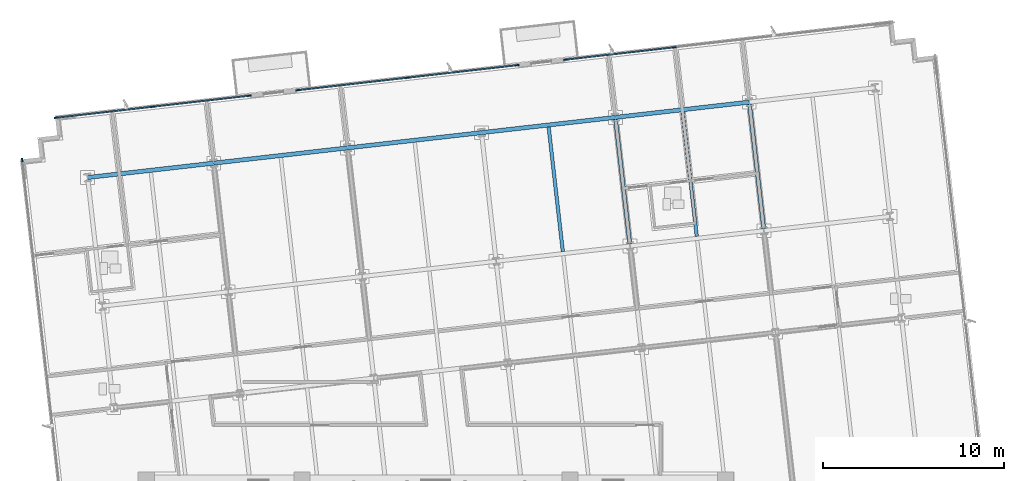
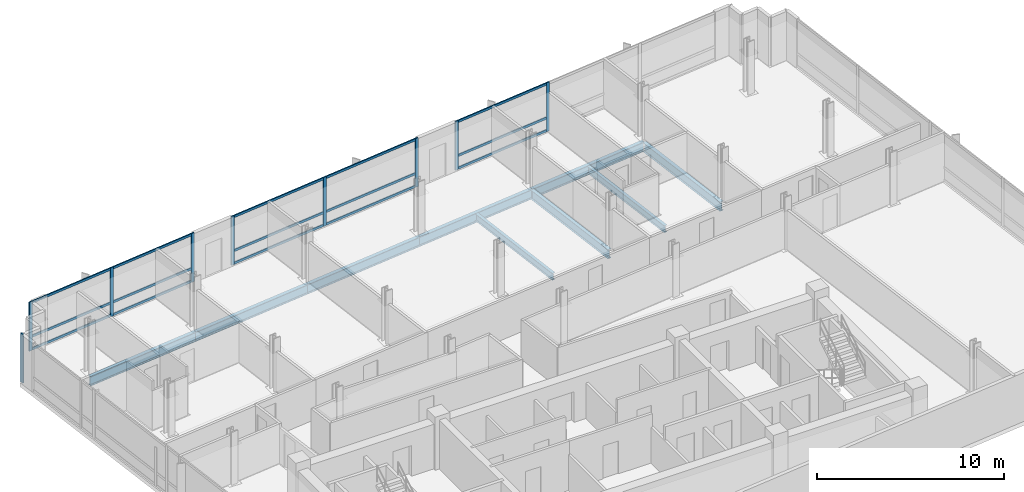
# One storey, part 5 of 15: 24 members, 9 beams, 4 elements without a shape of their own.
"""IFC4 building model written with IfcOpenShell, lengths in metres."""

from ifc_helpers import new_model, si_unit, direction, frame, origin, origin_2d, place, context, subcontext, project, spatial, rectangle, i_section, extrude, material, material_profile, profile_set, type_object, element, aggregate, save


model = new_model("IFC4")

# Units and contexts
model_context = context("Model", 3, precision=1e-05, world=origin(), true_north=direction((0.0, 1.0)))
body_context = subcontext(model_context, "Body", "Model", "MODEL_VIEW")
ifc_project = project(units=[si_unit("LENGTHUNIT", "METRE"), si_unit("AREAUNIT", "SQUARE_METRE"), si_unit("VOLUMEUNIT", "CUBIC_METRE"), si_unit("PLANEANGLEUNIT", "RADIAN"), si_unit("MASSUNIT", "GRAM", prefix="KILO")], contexts=[model_context])

# Site, building, storey
site_placement = place(None, origin())
site = spatial("IfcSite", under=ifc_project, at=site_placement, CompositionType="ELEMENT")
building_placement = place(site_placement, origin())
building = spatial("IfcBuilding", under=site, at=building_placement, Name="Solmavex Isthmus Hotel", CompositionType="ELEMENT")
storey_placement = place(building_placement, frame((0.0, 0.0, 229.64990234375)))
storey = spatial("IfcBuildingStorey", under=building, at=storey_placement, Name="L62", CompositionType="ELEMENT", Elevation=229.64990234375)

# Beams
ifc_material_1 = material(Name="Steel ASTM A992 Grade 50", Category="steel")
ifc_material_profile_1 = material_profile(ifc_material_1, i_section(OverallWidth=0.1904296875, OverallDepth=0.456787109375, WebThickness=0.009033203125, FlangeThickness=0.014404296875, FilletRadius=0.0126953125, at=origin_2d()), Name="W18X50")
ifc_profile_set_1 = profile_set([ifc_material_profile_1], Name="Steel ASTM A992 Grade 50")
beam_type_1 = type_object("IfcBeamType", Name="BM-BJ-W18X50", PredefinedType="JOIST", material=ifc_profile_set_1)
for number, where, z_axis, x_axis, name in (
    (1, (7.009033203125, 10.1328125, -0.48828125), (-0.113202453846, 0.993571942258, 0.0), (-0.993571942258, -0.113202453846, 0.0), "Secondary Floor Joist L62-J14"),
    (2, (14.4072265625, 10.975830078125, -0.48828125), (-0.113202453846, 0.993571942258, 0.0), (-0.993571942258, -0.113202453846, 0.0), "Secondary Floor Joist L62-J18"),
):
    element("IfcBeam", number, at=place(storey_placement, frame(where, z_axis=z_axis, x_axis=x_axis)), inside=storey, type_object=beam_type_1, Name=name, PredefinedType="JOIST", context=body_context, shape_type="SweptSolid", body=[
        extrude(i_section(OverallWidth=0.1904296875, OverallDepth=0.456787109375, WebThickness=0.009033203125, FlangeThickness=0.014404296875, FilletRadius=0.0126953125, at=origin_2d()), origin(), (0.0, 0.0, 1.0), 6.9228515625),
    ])
ifc_material_profile_2 = material_profile(ifc_material_1, i_section(OverallWidth=0.227783203125, OverallDepth=0.602783203125, WebThickness=0.010498046875, FlangeThickness=0.014892578125, FilletRadius=0.01513671875, at=origin_2d()), Name="W24X68")
ifc_profile_set_2 = profile_set([ifc_material_profile_2], Name="Steel ASTM A992 Grade 50")
beam_type_2 = type_object("IfcBeamType", Name="BM-BM-W24X68", PredefinedType="BEAM", material=ifc_profile_set_2)
for number, where, z_axis, x_axis, name in (
    (3, (10.708251953125, 10.55419921875, -0.561279296875), (-0.113202453846, 0.993571942258, 0.0), (-0.993571942258, -0.113202453846, 0.0), "Floor Beam L62-VG39"),
    (4, (18.106201171875, 11.397216796875, -0.561279296875), (-0.113202453846, 0.993571942258, 0.0), (-0.993571942258, -0.113202453846, 0.0), "Floor Beam L62-VG42"),
):
    element("IfcBeam", number, at=place(storey_placement, frame(where, z_axis=z_axis, x_axis=x_axis)), inside=storey, type_object=beam_type_2, Name=name, PredefinedType="BEAM", context=body_context, shape_type="SweptSolid", body=[
        extrude(i_section(OverallWidth=0.227783203125, OverallDepth=0.602783203125, WebThickness=0.010498046875, FlangeThickness=0.014892578125, FilletRadius=0.01513671875, at=origin_2d()), origin(), (0.0, 0.0, 1.0), 6.9228515625),
    ])
ifc_material_profile_3 = material_profile(ifc_material_1, i_section(OverallWidth=0.230224609375, OverallDepth=0.617431640625, WebThickness=0.01318359375, FlangeThickness=0.022216796875, FilletRadius=0.01513671875, at=origin_2d()), Name="W24X94")
ifc_profile_set_3 = profile_set([ifc_material_profile_3], Name="Steel ASTM A992 Grade 50")
beam_type_3 = type_object("IfcBeamType", Name="BM-SP-W24X94", PredefinedType="SPANDREL", material=ifc_profile_set_3)
beam_1_placement = place(storey_placement, frame((-19.245849609375, 14.22509765625, -0.568603515625), z_axis=(0.99357359356, 0.113187959519, 0.0), x_axis=(-0.113187959519, 0.99357359356, 0.0)))
element("IfcBeam", 5, at=beam_1_placement, inside=storey, type_object=beam_type_3, Name="Floor Girder L62-UG18", PredefinedType="SPANDREL", context=body_context, shape_type="SweptSolid", body=[
    extrude(i_section(OverallWidth=0.230224609375, OverallDepth=0.617431640625, WebThickness=0.01318359375, FlangeThickness=0.022216796875, FilletRadius=0.01513671875, at=origin_2d()), origin(), (0.0, 0.0, 1.0), 7.0078125),
])
beam_2_placement = place(storey_placement, frame((-12.282958984375, 15.018310546875, -0.568603515625), z_axis=(0.9935703463, 0.113216460607, 0.0), x_axis=(-0.113216460607, 0.9935703463, 0.0)))
element("IfcBeam", 6, at=beam_2_placement, inside=storey, type_object=beam_type_3, Name="Floor Girder L62-UG19", PredefinedType="SPANDREL", context=body_context, shape_type="SweptSolid", body=[
    extrude(i_section(OverallWidth=0.230224609375, OverallDepth=0.617431640625, WebThickness=0.01318359375, FlangeThickness=0.022216796875, FilletRadius=0.01513671875, at=origin_2d()), origin(), (0.0, 0.0, 1.0), 7.446044921875),
])
beam_3_placement = place(storey_placement, frame((-4.884765625, 15.861328125, -0.568603515625), z_axis=(0.993573613989, 0.113187780196, 0.0), x_axis=(-0.113187780196, 0.993573613989, 0.0)))
element("IfcBeam", 7, at=beam_3_placement, inside=storey, type_object=beam_type_3, Name="Floor Girder L62-UG20", PredefinedType="SPANDREL", context=body_context, shape_type="SweptSolid", body=[
    extrude(i_section(OverallWidth=0.230224609375, OverallDepth=0.617431640625, WebThickness=0.01318359375, FlangeThickness=0.022216796875, FilletRadius=0.01513671875, at=origin_2d()), origin(), (0.0, 0.0, 1.0), 7.44580078125),
])
for number, where, z_axis, x_axis, name in (
    (8, (2.51318359375, 16.7041015625, -0.568603515625), (0.9935703463, 0.113216460607, 0.0), (-0.113216460607, 0.9935703463, 0.0), "Floor Girder L62-UG21"),
    (9, (9.911376953125, 17.547119140625, -0.568603515625), (0.9935703463, 0.113216460607, 0.0), (-0.113216460607, 0.9935703463, 0.0), "Floor Girder L62-UG22"),
):
    element("IfcBeam", number, at=place(storey_placement, frame(where, z_axis=z_axis, x_axis=x_axis)), inside=storey, type_object=beam_type_3, Name=name, PredefinedType="SPANDREL", context=body_context, shape_type="SweptSolid", body=[
        extrude(i_section(OverallWidth=0.230224609375, OverallDepth=0.617431640625, WebThickness=0.01318359375, FlangeThickness=0.022216796875, FilletRadius=0.01513671875, at=origin_2d()), origin(), (0.0, 0.0, 1.0), 7.446044921875),
    ])

# Curtain wall, members
ifc_material_2 = material(Name="Aluminium alloy 6063-T6", Category="aluminium")
curtain_wall_type = type_object("IfcCurtainWallType", Name="CW-SYS-04", PredefinedType="NOTDEFINED", material=ifc_material_2)
curtain_wall_1_placement = place(storey_placement, origin())
curtain_wall_1 = element("IfcCurtainWall", 10, at=curtain_wall_1_placement, inside=storey, type_object=curtain_wall_type, Name="Stick Curtain Wall CWL-L62-N1", PredefinedType="NOTDEFINED")
ifc_material_profile_4 = material_profile(ifc_material_2, rectangle(XDim=0.074951171875, YDim=0.199951171875, at=origin_2d()), Name="CWM-75X200")
ifc_profile_set_4 = profile_set([ifc_material_profile_4], Name="Aluminium alloy 6063-T6")
member_type_1 = type_object("IfcMemberType", Name="CW-SYS-04-MUL", PredefinedType="MULLION", material=ifc_profile_set_4)
member_1_placement = place(storey_placement, frame((-20.99365234375, 17.528564453125, 0.0), z_axis=(0.0, 0.0, 1.0), x_axis=(-0.113202814871, 0.993571901125, 0.0)))
member_1 = element("IfcMember", 11, at=member_1_placement, type_object=member_type_1, Name="CW-04 mullion 1", PredefinedType="MULLION", context=body_context, shape_type="SweptSolid", body=[
    extrude(rectangle(XDim=0.074951171875, YDim=0.199951171875, at=origin_2d()), origin(), (0.0, 0.0, 1.0), 3.190185546875),
])
member_2_placement = place(storey_placement, frame((-15.650146484375, 18.13720703125, 0.0), z_axis=(0.0, 0.0, 1.0), x_axis=(-0.113202814871, 0.993571901125, 0.0)))
member_2 = element("IfcMember", 12, at=member_2_placement, type_object=member_type_1, Name="CW-04 mullion 2", PredefinedType="MULLION", context=body_context, shape_type="SweptSolid", body=[
    extrude(rectangle(XDim=0.074951171875, YDim=0.199951171875, at=origin_2d()), origin(), (0.0, 0.0, 1.0), 3.190185546875),
])
member_3_placement = place(storey_placement, frame((-10.306884765625, 18.74609375, 0.0), z_axis=(0.0, 0.0, 1.0), x_axis=(-0.113202814871, 0.993571901125, 0.0)))
member_3 = element("IfcMember", 13, at=member_3_placement, type_object=member_type_1, Name="CW-04 mullion 3", PredefinedType="MULLION", context=body_context, shape_type="SweptSolid", body=[
    extrude(rectangle(XDim=0.074951171875, YDim=0.199951171875, at=origin_2d()), origin(), (0.0, 0.0, 1.0), 3.190185546875),
])

curtain_wall_2_placement = place(storey_placement, origin())
curtain_wall_2 = element("IfcCurtainWall", 14, at=curtain_wall_2_placement, inside=storey, type_object=curtain_wall_type, Name="Stick Curtain Wall CWL-L62-N2", PredefinedType="NOTDEFINED")
member_4_placement = place(storey_placement, frame((-7.64892578125, 19.048828125, 0.0), z_axis=(0.0, 0.0, 1.0), x_axis=(-0.113202856801, 0.993571896348, 0.0)))
member_4 = element("IfcMember", 15, at=member_4_placement, type_object=member_type_1, Name="CW-04 mullion 1", PredefinedType="MULLION", context=body_context, shape_type="SweptSolid", body=[
    extrude(rectangle(XDim=0.074951171875, YDim=0.199951171875, at=origin_2d()), origin(), (0.0, 0.0, 1.0), 3.190185546875),
])
member_5_placement = place(storey_placement, frame((-1.579833984375, 19.740478515625, 0.0), z_axis=(0.0, 0.0, 1.0), x_axis=(-0.113202856801, 0.993571896348, 0.0)))
member_5 = element("IfcMember", 16, at=member_5_placement, type_object=member_type_1, Name="CW-04 mullion 2", PredefinedType="MULLION", context=body_context, shape_type="SweptSolid", body=[
    extrude(rectangle(XDim=0.074951171875, YDim=0.199951171875, at=origin_2d()), origin(), (0.0, 0.0, 1.0), 3.190185546875),
])
member_6_placement = place(storey_placement, frame((4.489501953125, 20.431884765625, 0.0), z_axis=(0.0, 0.0, 1.0), x_axis=(-0.113202856801, 0.993571896348, 0.0)))
member_6 = element("IfcMember", 17, at=member_6_placement, type_object=member_type_1, Name="CW-04 mullion 3", PredefinedType="MULLION", context=body_context, shape_type="SweptSolid", body=[
    extrude(rectangle(XDim=0.074951171875, YDim=0.199951171875, at=origin_2d()), origin(), (0.0, 0.0, 1.0), 3.190185546875),
])

curtain_wall_3_placement = place(storey_placement, origin())
curtain_wall_3 = element("IfcCurtainWall", 18, at=curtain_wall_3_placement, inside=storey, type_object=curtain_wall_type, Name="Stick Curtain Wall CWL-L62-N3", PredefinedType="NOTDEFINED")
member_7_placement = place(storey_placement, frame((7.147216796875, 20.734619140625, 0.0), z_axis=(0.0, 0.0, 1.0), x_axis=(-0.113203493636, 0.99357182379, 0.0)))
member_7 = element("IfcMember", 19, at=member_7_placement, type_object=member_type_1, Name="CW-04 mullion 1", PredefinedType="MULLION", context=body_context, shape_type="SweptSolid", body=[
    extrude(rectangle(XDim=0.074951171875, YDim=0.199951171875, at=origin_2d()), origin(), (0.0, 0.0, 1.0), 3.190185546875),
])
member_8_placement = place(storey_placement, frame((13.163330078125, 21.420166015625, 0.0), z_axis=(0.0, 0.0, 1.0), x_axis=(-0.113203493636, 0.99357182379, 0.0)))
member_8 = element("IfcMember", 20, at=member_8_placement, type_object=member_type_1, Name="CW-04 mullion 2", PredefinedType="MULLION", context=body_context, shape_type="SweptSolid", body=[
    extrude(rectangle(XDim=0.074951171875, YDim=0.199951171875, at=origin_2d()), origin(), (0.0, 0.0, 1.0), 3.190185546875),
])

# Curtain wall, member
curtain_wall_4_placement = place(storey_placement, origin())
curtain_wall_4 = element("IfcCurtainWall", 21, at=curtain_wall_4_placement, inside=storey, type_object=curtain_wall_type, Name="Stick Curtain Wall CWL-L62-W1", PredefinedType="NOTDEFINED")
member_9_placement = place(storey_placement, frame((-22.85791015625, 15.184814453125, 0.0), z_axis=(0.0, 0.0, 1.0), x_axis=(-0.993571836648, -0.11320338078, 0.0)))
member_9 = element("IfcMember", 22, at=member_9_placement, type_object=member_type_1, Name="CW-04 mullion 6", PredefinedType="MULLION", context=body_context, shape_type="SweptSolid", body=[
    extrude(rectangle(XDim=0.074951171875, YDim=0.199951171875, at=origin_2d()), origin(), (0.0, 0.0, 1.0), 3.190185546875),
])
aggregate(curtain_wall_4, [member_9])

# Member
ifc_material_profile_5 = material_profile(ifc_material_2, rectangle(XDim=0.074951171875, YDim=0.14990234375, at=origin_2d()), Name="CWT-75X150")
ifc_profile_set_5 = profile_set([ifc_material_profile_5], Name="Aluminium alloy 6063-T6")
member_type_2 = type_object("IfcMemberType", Name="CW-SYS-04-TRN", PredefinedType="USERDEFINED", material=ifc_profile_set_5)
member_10_placement = place(storey_placement, frame((-20.956298828125, 17.53271484375, 0.0751953125), z_axis=(0.993571049718, 0.113210287348, 0.0), x_axis=(-0.113210287348, 0.993571049718, 0.0)))
member_10 = element("IfcMember", 23, at=member_10_placement, type_object=member_type_2, Name="CW-04 transom 1.1", ObjectType="TRANSOM", PredefinedType="USERDEFINED", context=body_context, shape_type="SweptSolid", body=[
    extrude(rectangle(XDim=0.074951171875, YDim=0.14990234375, at=origin_2d()), origin(), (0.0, 0.0, 1.0), 5.302978515625),
])

member_11_placement = place(storey_placement, frame((-20.956298828125, 17.53271484375, 0.900146484375), z_axis=(0.993571049718, 0.113210287348, 0.0), x_axis=(-0.113210287348, 0.993571049718, 0.0)))
member_11 = element("IfcMember", 24, at=member_11_placement, type_object=member_type_2, Name="CW-04 transom 1.2", ObjectType="TRANSOM", PredefinedType="USERDEFINED", context=body_context, shape_type="SweptSolid", body=[
    extrude(rectangle(XDim=0.074951171875, YDim=0.14990234375, at=origin_2d()), origin(), (0.0, 0.0, 1.0), 5.302978515625),
])

member_12_placement = place(storey_placement, frame((-20.956298828125, 17.53271484375, 3.114990234375), z_axis=(0.993571049718, 0.113210287348, 0.0), x_axis=(-0.113210287348, 0.993571049718, 0.0)))
member_12 = element("IfcMember", 25, at=member_12_placement, type_object=member_type_2, Name="CW-04 transom 1.3", ObjectType="TRANSOM", PredefinedType="USERDEFINED", context=body_context, shape_type="SweptSolid", body=[
    extrude(rectangle(XDim=0.074951171875, YDim=0.14990234375, at=origin_2d()), origin(), (0.0, 0.0, 1.0), 5.302978515625),
])

member_13_placement = place(storey_placement, frame((-15.613037109375, 18.1416015625, 0.0751953125), z_axis=(0.993571639742, 0.113205108986, 0.0), x_axis=(-0.113205108986, 0.993571639742, 0.0)))
member_13 = element("IfcMember", 26, at=member_13_placement, type_object=member_type_2, Name="CW-04 transom 2.1", ObjectType="TRANSOM", PredefinedType="USERDEFINED", context=body_context, shape_type="SweptSolid", body=[
    extrude(rectangle(XDim=0.074951171875, YDim=0.14990234375, at=origin_2d()), origin(), (0.0, 0.0, 1.0), 5.30322265625),
])

member_14_placement = place(storey_placement, frame((-15.613037109375, 18.1416015625, 0.900146484375), z_axis=(0.993571639742, 0.113205108986, 0.0), x_axis=(-0.113205108986, 0.993571639742, 0.0)))
member_14 = element("IfcMember", 27, at=member_14_placement, type_object=member_type_2, Name="CW-04 transom 2.2", ObjectType="TRANSOM", PredefinedType="USERDEFINED", context=body_context, shape_type="SweptSolid", body=[
    extrude(rectangle(XDim=0.074951171875, YDim=0.14990234375, at=origin_2d()), origin(), (0.0, 0.0, 1.0), 5.30322265625),
])

member_15_placement = place(storey_placement, frame((-15.613037109375, 18.1416015625, 3.114990234375), z_axis=(0.993571639742, 0.113205108986, 0.0), x_axis=(-0.113205108986, 0.993571639742, 0.0)))
member_15 = element("IfcMember", 28, at=member_15_placement, type_object=member_type_2, Name="CW-04 transom 2.3", ObjectType="TRANSOM", PredefinedType="USERDEFINED", context=body_context, shape_type="SweptSolid", body=[
    extrude(rectangle(XDim=0.074951171875, YDim=0.14990234375, at=origin_2d()), origin(), (0.0, 0.0, 1.0), 5.30322265625),
])

aggregate(curtain_wall_1, [member_1, member_2, member_3, member_10, member_11, member_12, member_13, member_14, member_15])

member_16_placement = place(storey_placement, frame((-7.61181640625, 19.05322265625, 0.0751953125), z_axis=(0.993574990392, 0.113175697338, 0.0), x_axis=(-0.113175697338, 0.993574990392, 0.0)))
member_16 = element("IfcMember", 29, at=member_16_placement, type_object=member_type_2, Name="CW-04 transom 1.1", ObjectType="TRANSOM", PredefinedType="USERDEFINED", context=body_context, shape_type="SweptSolid", body=[
    extrude(rectangle(XDim=0.074951171875, YDim=0.14990234375, at=origin_2d()), origin(), (0.0, 0.0, 1.0), 6.03369140625),
])

member_17_placement = place(storey_placement, frame((-7.61181640625, 19.05322265625, 0.900146484375), z_axis=(0.993574990392, 0.113175697338, 0.0), x_axis=(-0.113175697338, 0.993574990392, 0.0)))
member_17 = element("IfcMember", 30, at=member_17_placement, type_object=member_type_2, Name="CW-04 transom 1.2", ObjectType="TRANSOM", PredefinedType="USERDEFINED", context=body_context, shape_type="SweptSolid", body=[
    extrude(rectangle(XDim=0.074951171875, YDim=0.14990234375, at=origin_2d()), origin(), (0.0, 0.0, 1.0), 6.03369140625),
])

member_18_placement = place(storey_placement, frame((-7.61181640625, 19.05322265625, 3.114990234375), z_axis=(0.993574990392, 0.113175697338, 0.0), x_axis=(-0.113175697338, 0.993574990392, 0.0)))
member_18 = element("IfcMember", 31, at=member_18_placement, type_object=member_type_2, Name="CW-04 transom 1.3", ObjectType="TRANSOM", PredefinedType="USERDEFINED", context=body_context, shape_type="SweptSolid", body=[
    extrude(rectangle(XDim=0.074951171875, YDim=0.14990234375, at=origin_2d()), origin(), (0.0, 0.0, 1.0), 6.03369140625),
])

member_19_placement = place(storey_placement, frame((-1.54248046875, 19.74462890625, 0.0751953125), z_axis=(0.993569920899, 0.113220193804, 0.0), x_axis=(-0.113220193804, 0.993569920899, 0.0)))
member_19 = element("IfcMember", 32, at=member_19_placement, type_object=member_type_2, Name="CW-04 transom 2.1", ObjectType="TRANSOM", PredefinedType="USERDEFINED", context=body_context, shape_type="SweptSolid", body=[
    extrude(rectangle(XDim=0.074951171875, YDim=0.14990234375, at=origin_2d()), origin(), (0.0, 0.0, 1.0), 6.033447265625),
])

member_20_placement = place(storey_placement, frame((-1.54248046875, 19.74462890625, 0.900146484375), z_axis=(0.993569920899, 0.113220193804, 0.0), x_axis=(-0.113220193804, 0.993569920899, 0.0)))
member_20 = element("IfcMember", 33, at=member_20_placement, type_object=member_type_2, Name="CW-04 transom 2.2", ObjectType="TRANSOM", PredefinedType="USERDEFINED", context=body_context, shape_type="SweptSolid", body=[
    extrude(rectangle(XDim=0.074951171875, YDim=0.14990234375, at=origin_2d()), origin(), (0.0, 0.0, 1.0), 6.033447265625),
])

member_21_placement = place(storey_placement, frame((-1.54248046875, 19.74462890625, 3.114990234375), z_axis=(0.993569920899, 0.113220193804, 0.0), x_axis=(-0.113220193804, 0.993569920899, 0.0)))
member_21 = element("IfcMember", 34, at=member_21_placement, type_object=member_type_2, Name="CW-04 transom 2.3", ObjectType="TRANSOM", PredefinedType="USERDEFINED", context=body_context, shape_type="SweptSolid", body=[
    extrude(rectangle(XDim=0.074951171875, YDim=0.14990234375, at=origin_2d()), origin(), (0.0, 0.0, 1.0), 6.033447265625),
])

aggregate(curtain_wall_2, [member_4, member_5, member_6, member_16, member_17, member_18, member_19, member_20, member_21])

member_22_placement = place(storey_placement, frame((7.1845703125, 20.739013671875, 0.0751953125), z_axis=(0.993570647741, 0.113213815179, 0.0), x_axis=(-0.113213815179, 0.993570647741, 0.0)))
member_22 = element("IfcMember", 35, at=member_22_placement, type_object=member_type_2, Name="CW-04 transom 1.1", ObjectType="TRANSOM", PredefinedType="USERDEFINED", context=body_context, shape_type="SweptSolid", body=[
    extrude(rectangle(XDim=0.074951171875, YDim=0.14990234375, at=origin_2d()), origin(), (0.0, 0.0, 1.0), 5.979736328125),
])

member_23_placement = place(storey_placement, frame((7.1845703125, 20.739013671875, 0.900146484375), z_axis=(0.993570647741, 0.113213815179, 0.0), x_axis=(-0.113213815179, 0.993570647741, 0.0)))
member_23 = element("IfcMember", 36, at=member_23_placement, type_object=member_type_2, Name="CW-04 transom 1.2", ObjectType="TRANSOM", PredefinedType="USERDEFINED", context=body_context, shape_type="SweptSolid", body=[
    extrude(rectangle(XDim=0.074951171875, YDim=0.14990234375, at=origin_2d()), origin(), (0.0, 0.0, 1.0), 5.979736328125),
])

member_24_placement = place(storey_placement, frame((7.1845703125, 20.739013671875, 3.114990234375), z_axis=(0.993570647741, 0.113213815179, 0.0), x_axis=(-0.113213815179, 0.993570647741, 0.0)))
member_24 = element("IfcMember", 37, at=member_24_placement, type_object=member_type_2, Name="CW-04 transom 1.3", ObjectType="TRANSOM", PredefinedType="USERDEFINED", context=body_context, shape_type="SweptSolid", body=[
    extrude(rectangle(XDim=0.074951171875, YDim=0.14990234375, at=origin_2d()), origin(), (0.0, 0.0, 1.0), 5.979736328125),
])

aggregate(curtain_wall_3, [member_7, member_8, member_22, member_23, member_24])

save(model, "model.ifc")
